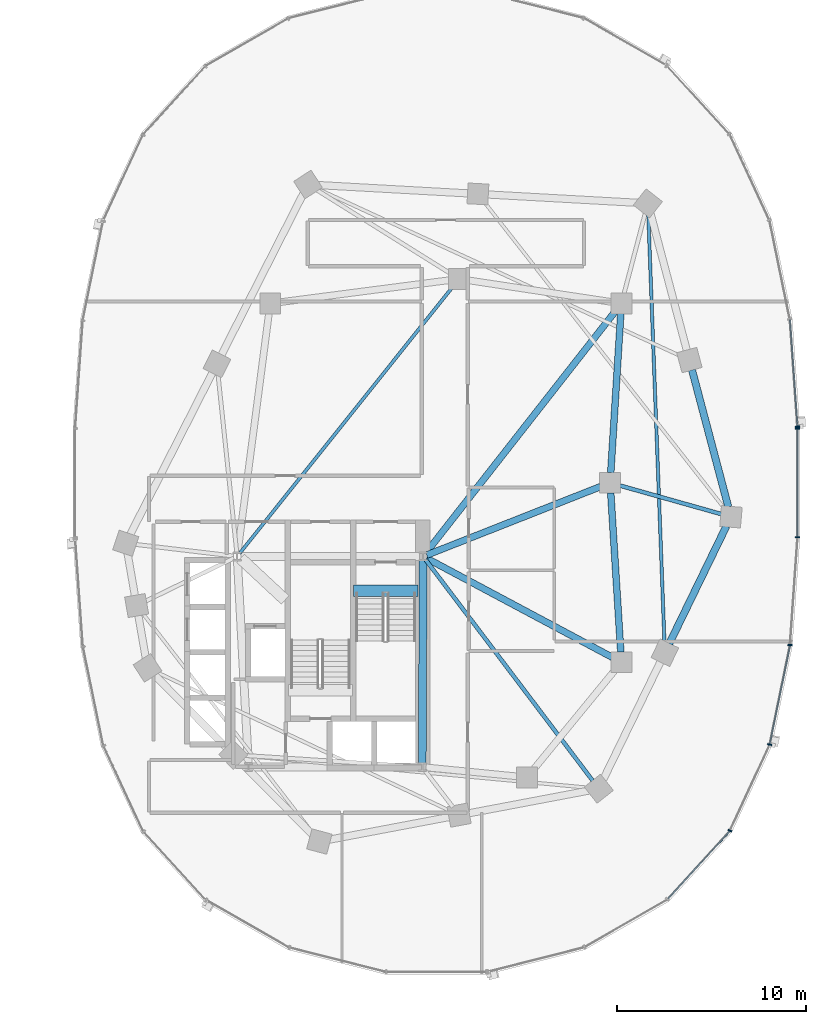
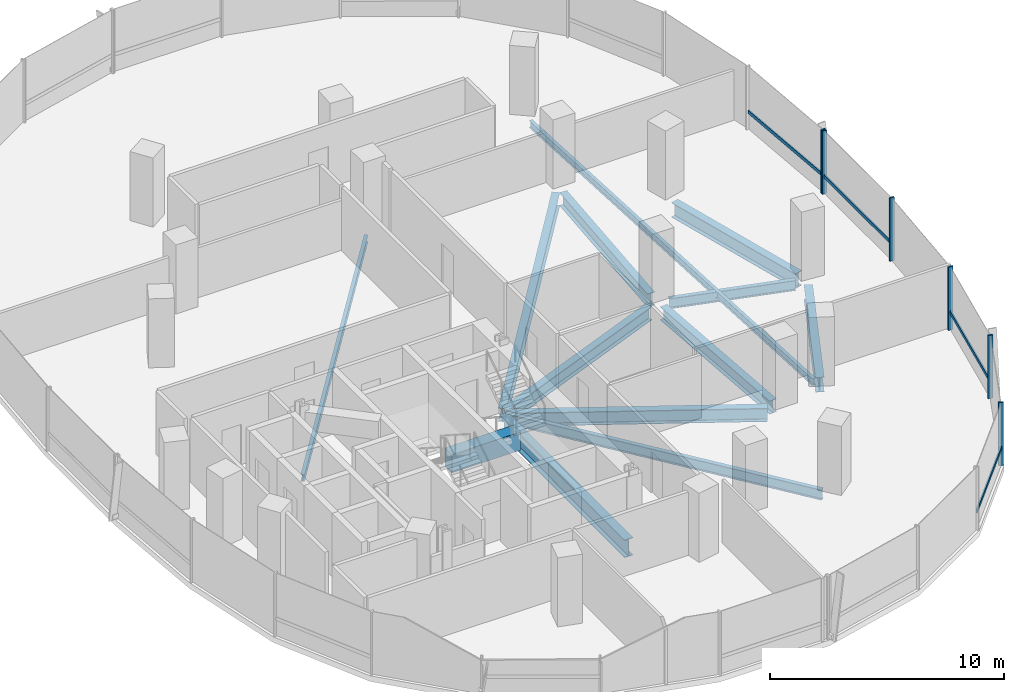
# One storey, part 6 of 21: 13 beams, 10 members, 2 elements without a shape of their own.
"""IFC4 building model written with IfcOpenShell, lengths in metres."""

from ifc_helpers import new_model, si_unit, direction, frame, origin, origin_2d, place, context, subcontext, project, spatial, rectangle, i_section, extrude, material, material_profile, profile_set, type_object, element, aggregate, save


model = new_model("IFC4")

# Units and contexts
model_context = context("Model", 3, precision=1e-05, world=origin(), true_north=direction((0.0, 1.0)))
body_context = subcontext(model_context, "Body", "Model", "MODEL_VIEW")
ifc_project = project(units=[si_unit("LENGTHUNIT", "METRE"), si_unit("AREAUNIT", "SQUARE_METRE"), si_unit("VOLUMEUNIT", "CUBIC_METRE"), si_unit("PLANEANGLEUNIT", "RADIAN"), si_unit("MASSUNIT", "GRAM", prefix="KILO"), si_unit("THERMODYNAMICTEMPERATUREUNIT", "KELVIN"), si_unit("POWERUNIT", "WATT")], contexts=[model_context])

# Site, building, storey
site_placement = place(None, origin())
site = spatial("IfcSite", under=ifc_project, at=site_placement, CompositionType="ELEMENT")
building_placement = place(site_placement, origin())
building = spatial("IfcBuilding", under=site, at=building_placement, Name="Cundina Bronze Exchange", CompositionType="ELEMENT")
storey_placement = place(building_placement, frame((0.0, 0.0, 110.60009765625)))
storey = spatial("IfcBuildingStorey", under=building, at=storey_placement, Name="L28", CompositionType="ELEMENT", Elevation=110.60009765625)

# Beams
ifc_material_1 = material(Name="Concrete C60/75", Category="concrete")
ifc_material_profile_1 = material_profile(ifc_material_1, rectangle(XDim=0.60009765625, YDim=0.949951171875, at=origin_2d()), Name="RC600X950", Category="concrete")
ifc_profile_set_1 = profile_set([ifc_material_profile_1], Name="Concrete C60/75")
beam_type_1 = type_object("IfcBeamType", Name="BM-COUP-RC950", PredefinedType="LINTEL", material=ifc_profile_set_1)
beam_1_placement = place(storey_placement, frame((27.6201171875, -5.719970703125, -0.47509765625), z_axis=(1.0, 0.0, 0.0), x_axis=(0.0, 1.0, 0.0)))
element("IfcBeam", 1, at=beam_1_placement, inside=storey, type_object=beam_type_1, Name="L28 Stair E1 Landing Header Beam", PredefinedType="LINTEL", context=body_context, shape_type="SweptSolid", body=[
    extrude(rectangle(XDim=0.60009765625, YDim=0.949951171875, at=origin_2d()), origin(), (0.0, 0.0, 1.0), 3.39990234375),
])
ifc_material_2 = material(Name="Steel ASTM A992 Grade 50", Category="steel")
ifc_material_profile_2 = material_profile(ifc_material_2, i_section(OverallWidth=0.2099609375, OverallDepth=0.532958984375, WebThickness=0.01025390625, FlangeThickness=0.015625, FilletRadius=0.013916015625, at=origin_2d()), Name="W21X62", Category="steel")
ifc_profile_set_2 = profile_set([ifc_material_profile_2], Name="Steel ASTM A992 Grade 50")
beam_type_2 = type_object("IfcBeamType", Name="BM-FLR-W21B", PredefinedType="BEAM", material=ifc_profile_set_2)
beam_2_placement = place(storey_placement, frame((31.423095703125, -4.062744140625, -0.566650390625), z_axis=(0.603095885041, -0.797668699052, 0.0), x_axis=(0.797668699052, 0.603095885041, 0.0)))
element("IfcBeam", 2, at=beam_2_placement, inside=storey, type_object=beam_type_2, Name="L28 Leg E Chordal Floor Beam 06", PredefinedType="BEAM", context=body_context, shape_type="SweptSolid", body=[
    extrude(i_section(OverallWidth=0.2099609375, OverallDepth=0.532958984375, WebThickness=0.01025390625, FlangeThickness=0.015625, FilletRadius=0.013916015625, at=origin_2d()), origin(), (0.0, 0.0, 1.0), 14.677978515625),
])
beam_3_placement = place(storey_placement, frame((41.718017578125, -0.145751953125, -0.566650390625), z_axis=(0.962654865541, -0.270731619598, 0.0), x_axis=(0.270731619598, 0.962654865541, 0.0)))
element("IfcBeam", 3, at=beam_3_placement, inside=storey, type_object=beam_type_2, Name="L28 Leg E Chordal Floor Beam 08", PredefinedType="BEAM", context=body_context, shape_type="SweptSolid", body=[
    extrude(i_section(OverallWidth=0.2099609375, OverallDepth=0.532958984375, WebThickness=0.01025390625, FlangeThickness=0.015625, FilletRadius=0.013916015625, at=origin_2d()), origin(), (0.0, 0.0, 1.0), 5.572021484375),
])
ifc_material_profile_3 = material_profile(ifc_material_2, i_section(OverallWidth=0.172119140625, OverallDepth=0.35791015625, WebThickness=0.0078125, FlangeThickness=0.01318359375, FilletRadius=0.010009765625, at=origin_2d()), Name="W14X38", Category="steel")
ifc_profile_set_3 = profile_set([ifc_material_profile_3], Name="Steel ASTM A992 Grade 50")
beam_type_3 = type_object("IfcBeamType", Name="BM-JST-W14", PredefinedType="JOIST", material=ifc_profile_set_3)
beam_4_placement = place(storey_placement, frame((21.577392578125, -3.740478515625, -0.47900390625), z_axis=(0.62436887964, 0.781129632095, 0.0), x_axis=(-0.781129632095, 0.62436887964, 0.0)))
element("IfcBeam", 4, at=beam_4_placement, inside=storey, type_object=beam_type_3, Name="L28 E Interior Core-to-Ring Joist 2", PredefinedType="JOIST", context=body_context, shape_type="SweptSolid", body=[
    extrude(i_section(OverallWidth=0.172119140625, OverallDepth=0.35791015625, WebThickness=0.0078125, FlangeThickness=0.01318359375, FilletRadius=0.010009765625, at=origin_2d()), origin(), (0.0, 0.0, 1.0), 18.076904296875),
])
beam_5_placement = place(storey_placement, frame((44.07958984375, -8.46240234375, -0.47900390625), z_axis=(-0.03778951385, 0.999285721224, 0.0), x_axis=(-0.999285721224, -0.03778951385, 0.0)))
element("IfcBeam", 5, at=beam_5_placement, inside=storey, type_object=beam_type_3, Name="L28 Leg E Lobe Floor Joist 07-10", PredefinedType="JOIST", context=body_context, shape_type="SweptSolid", body=[
    extrude(i_section(OverallWidth=0.172119140625, OverallDepth=0.35791015625, WebThickness=0.0078125, FlangeThickness=0.01318359375, FilletRadius=0.010009765625, at=origin_2d()), origin(), (0.0, 0.0, 1.0), 22.7412109375),
])
ifc_material_profile_4 = material_profile(ifc_material_2, i_section(OverallWidth=0.35498046875, OverallDepth=0.695068359375, WebThickness=0.015380859375, FlangeThickness=0.02490234375, FilletRadius=0.01806640625, at=origin_2d()), Name="W27X146", Category="steel")
ifc_profile_set_4 = profile_set([ifc_material_profile_4], Name="Steel ASTM A992 Grade 50")
beam_type_4 = type_object("IfcBeamType", Name="BM-RING-W27", PredefinedType="USERDEFINED", material=ifc_profile_set_4)
for number, where, z_axis, x_axis, name in (
    (6, (41.76611328125, -8.963134765625, -0.647705078125), (-0.06303715519, 0.998011180832, 0.0), (-0.998011180832, -0.06303715519, 0.0), "L28 E Inner Structural Ring Girder 03"),
    (7, (41.23388671875, 0.536865234375, -0.647705078125), (0.06303715519, 0.998011180832, 0.0), (-0.998011180832, 0.06303715519, 0.0), "L28 E Inner Structural Ring Girder 04"),
):
    element("IfcBeam", number, at=place(storey_placement, frame(where, z_axis=z_axis, x_axis=x_axis)), inside=storey, type_object=beam_type_4, Name=name, ObjectType="GIRDER", PredefinedType="USERDEFINED", context=body_context, shape_type="SweptSolid", body=[
        extrude(i_section(OverallWidth=0.35498046875, OverallDepth=0.695068359375, WebThickness=0.015380859375, FlangeThickness=0.02490234375, FilletRadius=0.01806640625, at=origin_2d()), origin(), (0.0, 0.0, 1.0), 8.443115234375),
    ])
beam_6_placement = place(storey_placement, frame((31.48974609375, -3.8251953125, -0.647705078125), z_axis=(0.930413235418, 0.366512225388, 0.0), x_axis=(-0.366512225388, 0.930413235418, 0.0)))
element("IfcBeam", 8, at=beam_6_placement, inside=storey, type_object=beam_type_4, Name="L28 E Core-to-Waist Tie Beam 1", ObjectType="GIRDER", PredefinedType="USERDEFINED", context=body_context, shape_type="SweptSolid", body=[
    extrude(i_section(OverallWidth=0.35498046875, OverallDepth=0.695068359375, WebThickness=0.015380859375, FlangeThickness=0.02490234375, FilletRadius=0.01806640625, at=origin_2d()), origin(), (0.0, 0.0, 1.0), 9.8984375),
])
beam_7_placement = place(storey_placement, frame((31.47998046875, -3.99609375, -0.647705078125), z_axis=(0.882354758239, -0.470584828286, 0.0), x_axis=(0.470584828286, 0.882354758239, 0.0)))
element("IfcBeam", 9, at=beam_7_placement, inside=storey, type_object=beam_type_4, Name="L28 E Core-to-Waist Tie Beam 2", ObjectType="GIRDER", PredefinedType="USERDEFINED", context=body_context, shape_type="SweptSolid", body=[
    extrude(i_section(OverallWidth=0.35498046875, OverallDepth=0.695068359375, WebThickness=0.015380859375, FlangeThickness=0.02490234375, FilletRadius=0.01806640625, at=origin_2d()), origin(), (0.0, 0.0, 1.0), 11.157958984375),
])
beam_8_placement = place(storey_placement, frame((31.42578125, -3.739501953125, -0.647705078125), z_axis=(0.616789275748, 0.787128318206, 0.0), x_axis=(-0.787128318206, 0.616789275748, 0.0)))
element("IfcBeam", 10, at=beam_8_placement, inside=storey, type_object=beam_type_4, Name="L28 E Core-to-Waist Tie Beam 3", ObjectType="GIRDER", PredefinedType="USERDEFINED", context=body_context, shape_type="SweptSolid", body=[
    extrude(i_section(OverallWidth=0.35498046875, OverallDepth=0.695068359375, WebThickness=0.015380859375, FlangeThickness=0.02490234375, FilletRadius=0.01806640625, at=origin_2d()), origin(), (0.0, 0.0, 1.0), 16.281982421875),
])
ifc_material_profile_5 = material_profile(ifc_material_2, i_section(OverallWidth=0.381103515625, OverallDepth=0.77294921875, WebThickness=0.0166015625, FlangeThickness=0.027099609375, FilletRadius=0.01904296875, at=origin_2d()), Name="W30X173", Category="steel")
ifc_profile_set_5 = profile_set([ifc_material_profile_5], Name="Steel ASTM A992 Grade 50")
beam_type_5 = type_object("IfcBeamType", Name="BM-RING-W30", PredefinedType="USERDEFINED", material=ifc_profile_set_5)
beam_9_placement = place(storey_placement, frame((44.335205078125, -8.51611328125, -0.6865234375), z_axis=(0.437193894283, 0.899367276924, 0.0), x_axis=(-0.899367276924, 0.437193894283, 0.0)))
element("IfcBeam", 11, at=beam_9_placement, inside=storey, type_object=beam_type_5, Name="L28 E Perimeter Ring Girder 07", ObjectType="GIRDER", PredefinedType="USERDEFINED", context=body_context, shape_type="SweptSolid", body=[
    extrude(i_section(OverallWidth=0.381103515625, OverallDepth=0.77294921875, WebThickness=0.0166015625, FlangeThickness=0.027099609375, FilletRadius=0.01904296875, at=origin_2d()), origin(), (0.0, 0.0, 1.0), 6.929443359375),
])
beam_10_placement = place(storey_placement, frame((47.462158203125, -1.280029296875, -0.6865234375), z_axis=(-0.256209719931, 0.966621218168, 0.0), x_axis=(-0.966621218168, -0.256209719931, 0.0)))
element("IfcBeam", 12, at=beam_10_placement, inside=storey, type_object=beam_type_5, Name="L28 E Perimeter Ring Girder 08", ObjectType="GIRDER", PredefinedType="USERDEFINED", context=body_context, shape_type="SweptSolid", body=[
    extrude(i_section(OverallWidth=0.381103515625, OverallDepth=0.77294921875, WebThickness=0.0166015625, FlangeThickness=0.027099609375, FilletRadius=0.01904296875, at=origin_2d()), origin(), (0.0, 0.0, 1.0), 7.5107421875),
])
ifc_material_profile_6 = material_profile(ifc_material_2, i_section(OverallWidth=0.41796875, OverallDepth=0.927001953125, WebThickness=0.019287109375, FlangeThickness=0.031982421875, FilletRadius=0.02392578125, at=origin_2d()), Name="W36X231", Category="steel")
ifc_profile_set_6 = profile_set([ifc_material_profile_6], Name="Steel ASTM A992 Grade 50")
beam_type_6 = type_object("IfcBeamType", Name="BM-WRN-W36B", PredefinedType="USERDEFINED", material=ifc_profile_set_6)
beam_11_placement = place(storey_placement, frame((31.2509765625, -14.845947265625, -0.763671875), z_axis=(0.004477329608, 0.99998997671, 0.0), x_axis=(-0.99998997671, 0.004477329608, 0.0)))
element("IfcBeam", 13, at=beam_11_placement, inside=storey, type_object=beam_type_6, Name="L28 E Core Perimeter Tie Girder 4", ObjectType="GIRDER", PredefinedType="USERDEFINED", context=body_context, shape_type="SweptSolid", body=[
    extrude(i_section(OverallWidth=0.41796875, OverallDepth=0.927001953125, WebThickness=0.019287109375, FlangeThickness=0.031982421875, FilletRadius=0.02392578125, at=origin_2d()), origin(), (0.0, 0.0, 1.0), 10.741943359375),
])

# Curtain wall, member
ifc_material_3 = material(Name="Anodised Bronze Aluminium 6063-T6", Category="aluminium")
curtain_wall_type = type_object("IfcCurtainWallType", Name="CWS-TRD-MID", PredefinedType="NOTDEFINED", material=ifc_material_3)
curtain_wall_1_placement = place(storey_placement, origin())
curtain_wall_1 = element("IfcCurtainWall", 14, at=curtain_wall_1_placement, inside=storey, type_object=curtain_wall_type, Name="L28 CW-03 Curtain Wall Run CWR-L28-E1", PredefinedType="NOTDEFINED")
ifc_material_profile_7 = material_profile(ifc_material_3, rectangle(XDim=0.074951171875, YDim=0.219970703125, at=origin_2d()), Name="AL75X220", Category="aluminium")
ifc_profile_set_7 = profile_set([ifc_material_profile_7], Name="Anodised Bronze Aluminium 6063-T6")
member_type_1 = type_object("IfcMemberType", Name="CWM-MUL-220", PredefinedType="MULLION", material=ifc_profile_set_7)
member_1_placement = place(storey_placement, frame((51.12451171875, 2.976318359375, 0.0), z_axis=(0.0, 0.0, 1.0), x_axis=(-0.070278787473, 0.997527389113, 0.0)))
member_1 = element("IfcMember", 15, at=member_1_placement, type_object=member_type_1, Name="CW-03 Mullion 1", PredefinedType="MULLION", context=body_context, shape_type="SweptSolid", body=[
    extrude(rectangle(XDim=0.074951171875, YDim=0.219970703125, at=origin_2d()), origin(), (0.0, 0.0, 1.0), 3.2998046875),
])

# Curtain wall, members
curtain_wall_2_placement = place(storey_placement, origin())
curtain_wall_2 = element("IfcCurtainWall", 16, at=curtain_wall_2_placement, inside=storey, type_object=curtain_wall_type, Name="L28 CW-03 Curtain Wall Run CWR-L28-E4", PredefinedType="NOTDEFINED")
member_2_placement = place(storey_placement, frame((47.544189453125, -18.423583984375, 0.0), z_axis=(0.0, 0.0, 1.0), x_axis=(0.42087749791, 0.907117485088, 0.0)))
member_2 = element("IfcMember", 17, at=member_2_placement, type_object=member_type_1, Name="CW-03 Mullion 4", PredefinedType="MULLION", context=body_context, shape_type="SweptSolid", body=[
    extrude(rectangle(XDim=0.074951171875, YDim=0.219970703125, at=origin_2d()), origin(), (0.0, 0.0, 1.0), 3.2998046875),
])
member_3_placement = place(storey_placement, frame((49.651123046875, -13.861328125, 0.0), z_axis=(0.0, 0.0, 1.0), x_axis=(0.201419845156, 0.979505000486, 0.0)))
member_3 = element("IfcMember", 18, at=member_3_placement, type_object=member_type_1, Name="CW-03 Mullion 5", PredefinedType="MULLION", context=body_context, shape_type="SweptSolid", body=[
    extrude(rectangle(XDim=0.074951171875, YDim=0.219970703125, at=origin_2d()), origin(), (0.0, 0.0, 1.0), 3.2998046875),
])
member_4_placement = place(storey_placement, frame((50.72900390625, -8.591552734375, 0.0), z_axis=(0.0, 0.0, 1.0), x_axis=(0.070278787473, 0.997527389113, 0.0)))
member_4 = element("IfcMember", 19, at=member_4_placement, type_object=member_type_1, Name="CW-03 Mullion 6", PredefinedType="MULLION", context=body_context, shape_type="SweptSolid", body=[
    extrude(rectangle(XDim=0.074951171875, YDim=0.219970703125, at=origin_2d()), origin(), (0.0, 0.0, 1.0), 3.2998046875),
])
member_5_placement = place(storey_placement, frame((51.1279296875, -2.880615234375, 0.0), z_axis=(0.0, 0.0, 1.0), x_axis=(0.0, 1.0, 0.0)))
member_5 = element("IfcMember", 20, at=member_5_placement, type_object=member_type_1, Name="CW-03 Mullion 7", PredefinedType="MULLION", context=body_context, shape_type="SweptSolid", body=[
    extrude(rectangle(XDim=0.074951171875, YDim=0.219970703125, at=origin_2d()), origin(), (0.0, 0.0, 1.0), 3.2998046875),
])
member_6_placement = place(storey_placement, frame((51.1279296875, 2.880615234375, 0.0), z_axis=(0.0, 0.0, 1.0), x_axis=(0.0, 1.0, 0.0)))
member_6 = element("IfcMember", 21, at=member_6_placement, type_object=member_type_1, Name="CW-03 End Mullion", PredefinedType="MULLION", context=body_context, shape_type="SweptSolid", body=[
    extrude(rectangle(XDim=0.074951171875, YDim=0.219970703125, at=origin_2d()), origin(), (0.0, 0.0, 1.0), 3.2998046875),
])

# Member
ifc_material_profile_8 = material_profile(ifc_material_3, rectangle(XDim=0.070068359375, YDim=0.179931640625, at=origin_2d()), Name="AL70X180", Category="aluminium")
ifc_profile_set_8 = profile_set([ifc_material_profile_8], Name="Anodised Bronze Aluminium 6063-T6")
member_type_2 = type_object("IfcMemberType", Name="CWM-TRN-180", PredefinedType="USERDEFINED", material=ifc_profile_set_8)
member_7_placement = place(storey_placement, frame((51.12158203125, 3.017333984375, 0.919921875), z_axis=(-0.070260714471, 0.997528662246, 0.0), x_axis=(-0.997528662246, -0.070260714471, 0.0)))
member_7 = element("IfcMember", 22, at=member_7_placement, type_object=member_type_2, Name="CW-03 Spandrel Transom 1", ObjectType="TRANSOM", PredefinedType="USERDEFINED", context=body_context, shape_type="SweptSolid", body=[
    extrude(rectangle(XDim=0.070068359375, YDim=0.179931640625, at=origin_2d()), origin(), (0.0, 0.0, 1.0), 5.629150390625),
])

aggregate(curtain_wall_1, [member_1, member_7])

member_8_placement = place(storey_placement, frame((44.26708984375, -22.027099609375, 0.919921875), z_axis=(0.674302794847, 0.738454968743, 0.0), x_axis=(-0.738454968743, 0.674302794847, 0.0)))
member_8 = element("IfcMember", 23, at=member_8_placement, type_object=member_type_2, Name="CW-03 Spandrel Transom 3", ObjectType="TRANSOM", PredefinedType="USERDEFINED", context=body_context, shape_type="SweptSolid", body=[
    extrude(rectangle(XDim=0.070068359375, YDim=0.179931640625, at=origin_2d()), origin(), (0.0, 0.0, 1.0), 4.848388671875),
])

member_9_placement = place(storey_placement, frame((49.659423828125, -13.821044921875, 0.919921875), z_axis=(0.201427712708, 0.979503382615, 0.0), x_axis=(-0.979503382615, 0.201427712708, 0.0)))
member_9 = element("IfcMember", 24, at=member_9_placement, type_object=member_type_2, Name="CW-03 Spandrel Transom 5", ObjectType="TRANSOM", PredefinedType="USERDEFINED", context=body_context, shape_type="SweptSolid", body=[
    extrude(rectangle(XDim=0.070068359375, YDim=0.179931640625, at=origin_2d()), origin(), (0.0, 0.0, 1.0), 5.291748046875),
])

member_10_placement = place(storey_placement, frame((51.1279296875, -2.839111328125, 0.919921875), z_axis=(0.0, 1.0, 0.0), x_axis=(-1.0, 0.0, 0.0)))
member_10 = element("IfcMember", 25, at=member_10_placement, type_object=member_type_2, Name="CW-03 Spandrel Transom 7", ObjectType="TRANSOM", PredefinedType="USERDEFINED", context=body_context, shape_type="SweptSolid", body=[
    extrude(rectangle(XDim=0.070068359375, YDim=0.179931640625, at=origin_2d()), origin(), (0.0, 0.0, 1.0), 5.67822265625),
])

aggregate(curtain_wall_2, [member_8, member_2, member_3, member_9, member_4, member_5, member_6, member_10])

save(model, "model.ifc")
